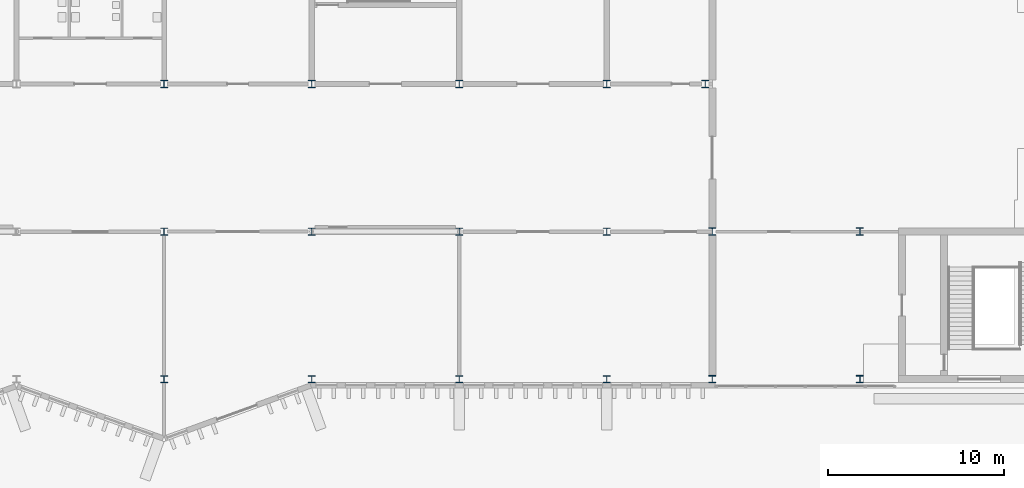
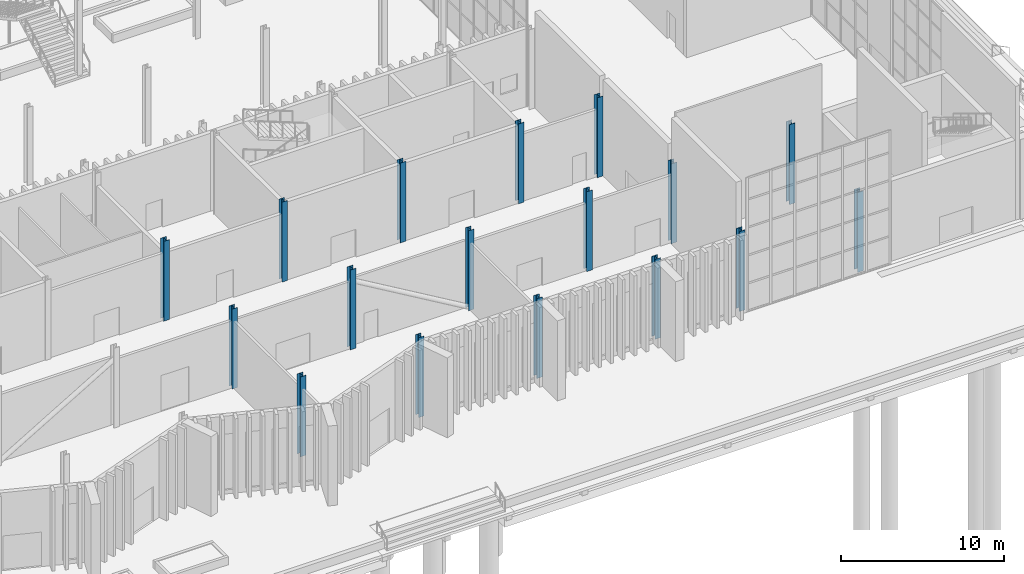
# One storey, part 27 of 108: 17 columns.
"""IFC4 building model written with IfcOpenShell, lengths in metres."""

from ifc_helpers import new_model, si_unit, direction, frame, origin, origin_2d, place, context, subcontext, project, spatial, i_section, extrude, material, material_profile, profile_set, type_object, element, save


model = new_model("IFC4")

# Units and contexts
model_context = context("Model", 3, precision=1e-05, world=origin(), true_north=direction((0.0, 1.0)))
body_context = subcontext(model_context, "Body", "Model", "MODEL_VIEW")
ifc_project = project(units=[si_unit("LENGTHUNIT", "METRE"), si_unit("AREAUNIT", "SQUARE_METRE"), si_unit("VOLUMEUNIT", "CUBIC_METRE"), si_unit("PLANEANGLEUNIT", "RADIAN"), si_unit("MASSUNIT", "GRAM", prefix="KILO")], contexts=[model_context])

# Site, building, storey
site_placement = place(None, origin())
site = spatial("IfcSite", under=ifc_project, at=site_placement, CompositionType="ELEMENT")
building_placement = place(site_placement, origin())
building = spatial("IfcBuilding", under=site, at=building_placement, Name="Cresset Court Congress Hotel", CompositionType="ELEMENT")
storey_placement = place(building_placement, origin())
storey = spatial("IfcBuildingStorey", under=building, at=storey_placement, Name="L00", CompositionType="ELEMENT", Elevation=0.0)

# Columns
ifc_material_1 = material(Name="Structural steel Q355B", Category="steel")
ifc_material_profile_1 = material_profile(ifc_material_1, i_section(OverallWidth=0.39990234375, OverallDepth=0.39990234375, WebThickness=0.012939453125, FlangeThickness=0.02099609375, FilletRadius=0.02197265625, at=origin_2d()), Name="HW400x400x13x21")
ifc_profile_set_1 = profile_set([ifc_material_profile_1], Name="Structural steel Q355B")
column_type_1 = type_object("IfcColumnType", Name="Steel column HW400x400x13x21", PredefinedType="COLUMN", material=ifc_profile_set_1)
for number, where, z_axis, x_axis, name in (
    (1, (126.0, 0.0, 0.0), (0.0, 0.0, 1.0), (1.0, 0.0, 0.0), "B.col.L00.16A"),
    (2, (126.0, 8.39990234375, 0.0), (0.0, 0.0, 1.0), (1.0, 0.0, 0.0), "B.col.L00.16B"),
    (3, (126.0, 16.800048828125, 0.0), (0.0, 0.0, 1.0), (1.0, 0.0, 0.0), "B.col.L00.16C"),
    (4, (134.39990234375, 0.0, 0.0), (0.0, 0.0, 1.0), (1.0, 0.0, 0.0), "B.col.L00.17A"),
    (5, (134.39990234375, 8.39990234375, 0.0), (0.0, 0.0, 1.0), (1.0, 0.0, 0.0), "B.col.L00.17B"),
    (6, (134.39990234375, 16.800048828125, 0.0), (0.0, 0.0, 1.0), (1.0, 0.0, 0.0), "B.col.L00.17C"),
    (7, (142.800048828125, 0.0, 0.0), (0.0, 0.0, 1.0), (1.0, 0.0, 0.0), "B.col.L00.18A"),
    (8, (142.800048828125, 8.39990234375, 0.0), (0.0, 0.0, 1.0), (1.0, 0.0, 0.0), "B.col.L00.18B"),
    (9, (142.800048828125, 16.800048828125, 0.0), (0.0, 0.0, 1.0), (1.0, 0.0, 0.0), "B.col.L00.18C"),
    (10, (151.199951171875, 0.0, 0.0), (0.0, 0.0, 1.0), (1.0, 0.0, 0.0), "B.col.L00.19A"),
    (11, (151.199951171875, 8.39990234375, 0.0), (0.0, 0.0, 1.0), (1.0, 0.0, 0.0), "B.col.L00.19B"),
    (12, (151.199951171875, 16.800048828125, 0.0), (0.0, 0.0, 1.0), (1.0, 0.0, 0.0), "B.col.L00.19C"),
    (13, (156.800048828125, 16.800048828125, 0.0), (0.0, 0.0, 1.0), (1.0, 0.0, 0.0), "B.col.L00.20C"),
):
    element("IfcColumn", number, at=place(storey_placement, frame(where, z_axis=z_axis, x_axis=x_axis)), inside=storey, type_object=column_type_1, Name=name, PredefinedType="COLUMN", context=body_context, shape_type="SweptSolid", body=[
        extrude(i_section(OverallWidth=0.39990234375, OverallDepth=0.39990234375, WebThickness=0.012939453125, FlangeThickness=0.02099609375, FilletRadius=0.02197265625, at=origin_2d()), origin(), (0.0, 0.0, 1.0), 6.0),
    ])
ifc_material_2 = material(Name="Structural steel Q355B", Category="steel")
ifc_material_profile_2 = material_profile(ifc_material_2, i_section(OverallWidth=0.406982421875, OverallDepth=0.427978515625, WebThickness=0.02001953125, FlangeThickness=0.034912109375, FilletRadius=0.02197265625, at=origin_2d()), Name="HW428x407x20x35")
ifc_profile_set_2 = profile_set([ifc_material_profile_2], Name="Structural steel Q355B")
column_type_2 = type_object("IfcColumnType", Name="Steel column HW428x407x20x35", PredefinedType="COLUMN", material=ifc_profile_set_2)
for number, where, z_axis, x_axis, name in (
    (14, (157.199951171875, 0.0, 0.0), (0.0, 0.0, 1.0), (1.0, 0.0, 0.0), "Column L00 1-20"),
    (15, (157.199951171875, 8.39990234375, 0.0), (0.0, 0.0, 1.0), (1.0, 0.0, 0.0), "Column L00 2-20"),
    (16, (165.60009765625, 0.0, 0.0), (0.0, 0.0, 1.0), (1.0, 0.0, 0.0), "Column L00 1-21"),
    (17, (165.60009765625, 8.39990234375, 0.0), (0.0, 0.0, 1.0), (1.0, 0.0, 0.0), "Column L00 2-21"),
):
    element("IfcColumn", number, at=place(storey_placement, frame(where, z_axis=z_axis, x_axis=x_axis)), inside=storey, type_object=column_type_2, Name=name, PredefinedType="COLUMN", context=body_context, shape_type="SweptSolid", body=[
        extrude(i_section(OverallWidth=0.406982421875, OverallDepth=0.427978515625, WebThickness=0.02001953125, FlangeThickness=0.034912109375, FilletRadius=0.02197265625, at=origin_2d()), origin(), (0.0, 0.0, 1.0), 6.0),
    ])

save(model, "model.ifc")
